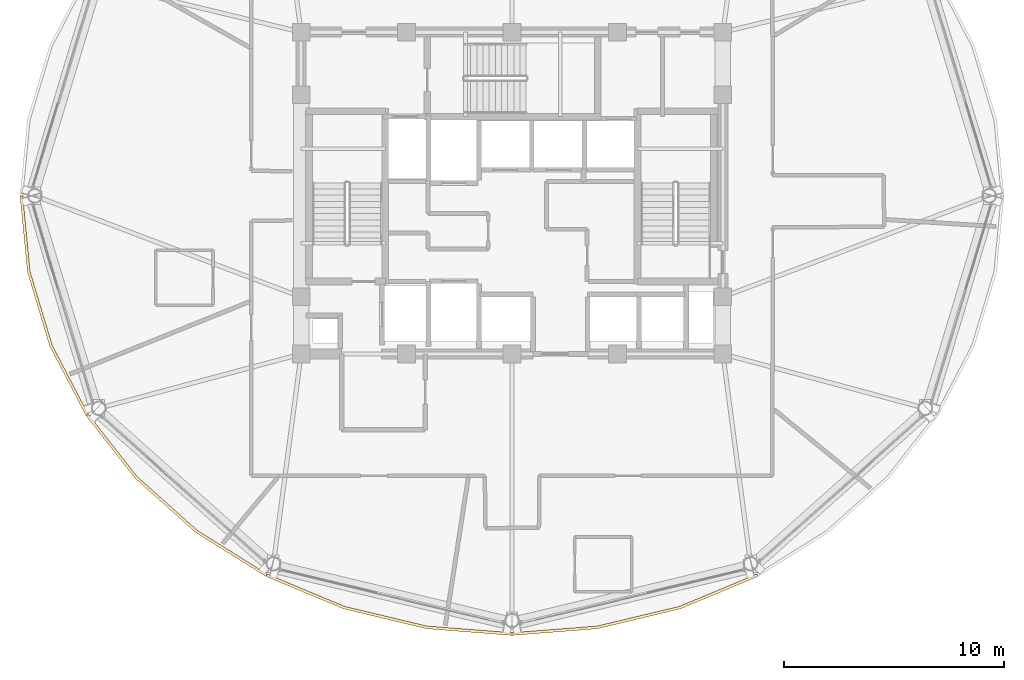
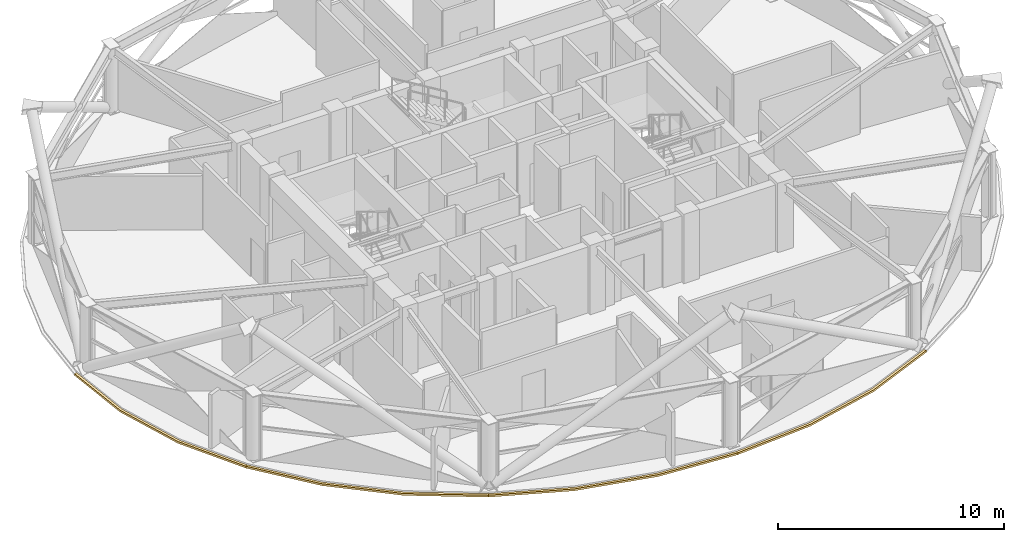
# One storey, part 25 of 28: 4 coverings.
"""IFC4 building model written with IfcOpenShell, lengths in metres."""

from ifc_helpers import new_model, si_unit, direction, frame, origin, place, context, subcontext, project, spatial, polyline, outline, extrude, material, layer, layer_set, type_object, element, save


model = new_model("IFC4")

# Units and contexts
model_context = context("Model", 3, precision=1e-05, world=origin(), true_north=direction((0.0, 1.0)))
body_context = subcontext(model_context, "Body", "Model", "MODEL_VIEW")
ifc_project = project(units=[si_unit("LENGTHUNIT", "METRE"), si_unit("AREAUNIT", "SQUARE_METRE"), si_unit("VOLUMEUNIT", "CUBIC_METRE"), si_unit("PLANEANGLEUNIT", "RADIAN"), si_unit("MASSUNIT", "GRAM", prefix="KILO")], contexts=[model_context])

# Site, building, storey
site_placement = place(None, origin())
site = spatial("IfcSite", under=ifc_project, at=site_placement, CompositionType="ELEMENT")
building_placement = place(site_placement, origin())
building = spatial("IfcBuilding", under=site, at=building_placement, Name="Vantalir Tower", CompositionType="ELEMENT")
storey_placement = place(building_placement, frame((0.0, 0.0, 242.39990234375)))
storey = spatial("IfcBuildingStorey", under=building, at=storey_placement, Name="L61", CompositionType="ELEMENT", Elevation=242.39990234375)

# Coverings
ifc_material = material(Name="Anodised champagne aluminium sill fascia", Category="aluminium")
ifc_layer = layer(ifc_material, 0.125)
ifc_layer_set = layer_set([ifc_layer], Name="Anodised champagne aluminium sill fascia")
covering_type = type_object("IfcCoveringType", Name="COV-SLAB-FASCIA-125", PredefinedType="CLADDING", material=ifc_layer_set)
covering_1_placement = place(storey_placement, frame((0.0, 0.0, -0.179931640625)))
element("IfcCovering", 1, at=covering_1_placement, inside=storey, type_object=covering_type, Name="L61 Perimeter Slab-Edge Sill Fascia 07", PredefinedType="CLADDING", context=body_context, shape_type="SweptSolid", body=[
    extrude(outline(polyline([(9.10693359375, 25.0), (9.447021484375, 21.52587890625), (10.45703125, 18.156982421875), (12.10693359375, 14.99609375), (12.215087890625, 15.05810546875), (10.574951171875, 18.199951171875), (9.570068359375, 21.547119140625), (9.23193359375, 25.0), (9.10693359375, 25.0)])), origin(), (0.0, 0.0, 1.0), 0.10498046875),
])
covering_2_placement = place(storey_placement, frame((0.0, 0.0, -0.179931640625)))
element("IfcCovering", 2, at=covering_2_placement, inside=storey, type_object=covering_type, Name="L61 Perimeter Slab-Edge Sill Fascia 08", PredefinedType="CLADDING", context=body_context, shape_type="SweptSolid", body=[
    extrude(outline(polyline([(12.10693359375, 14.99609375), (14.345947265625, 12.138916015625), (17.10595703125, 9.673095703125), (20.302978515625, 7.673095703125), (20.365966796875, 7.781005859375), (17.18603515625, 9.76904296875), (14.44189453125, 12.218994140625), (12.215087890625, 15.05810546875), (12.10693359375, 14.99609375)])), origin(), (0.0, 0.0, 1.0), 0.10498046875),
])
covering_3_placement = place(storey_placement, frame((0.0, 0.0, -0.179931640625)))
element("IfcCovering", 3, at=covering_3_placement, inside=storey, type_object=covering_type, Name="L61 Perimeter Slab-Edge Sill Fascia 09", PredefinedType="CLADDING", context=body_context, shape_type="SweptSolid", body=[
    extrude(outline(polyline([(20.302978515625, 7.673095703125), (23.841064453125, 6.198974609375), (27.611083984375, 5.2958984375), (31.5, 4.991943359375), (31.5, 5.116943359375), (27.633056640625, 5.4189453125), (23.884033203125, 6.31591796875), (20.365966796875, 7.781005859375), (20.302978515625, 7.673095703125)])), origin(), (0.0, 0.0, 1.0), 0.10498046875),
])
covering_4_placement = place(storey_placement, frame((0.0, 0.0, -0.179931640625)))
element("IfcCovering", 4, at=covering_4_placement, inside=storey, type_object=covering_type, Name="L61 Perimeter Slab-Edge Sill Fascia 10", PredefinedType="CLADDING", context=body_context, shape_type="SweptSolid", body=[
    extrude(outline(polyline([(31.5, 4.991943359375), (35.388916015625, 5.2958984375), (39.158935546875, 6.198974609375), (42.697021484375, 7.673095703125), (42.634033203125, 7.781005859375), (39.115966796875, 6.31591796875), (35.366943359375, 5.4189453125), (31.5, 5.116943359375), (31.5, 4.991943359375)])), origin(), (0.0, 0.0, 1.0), 0.10498046875),
])

save(model, "model.ifc")
